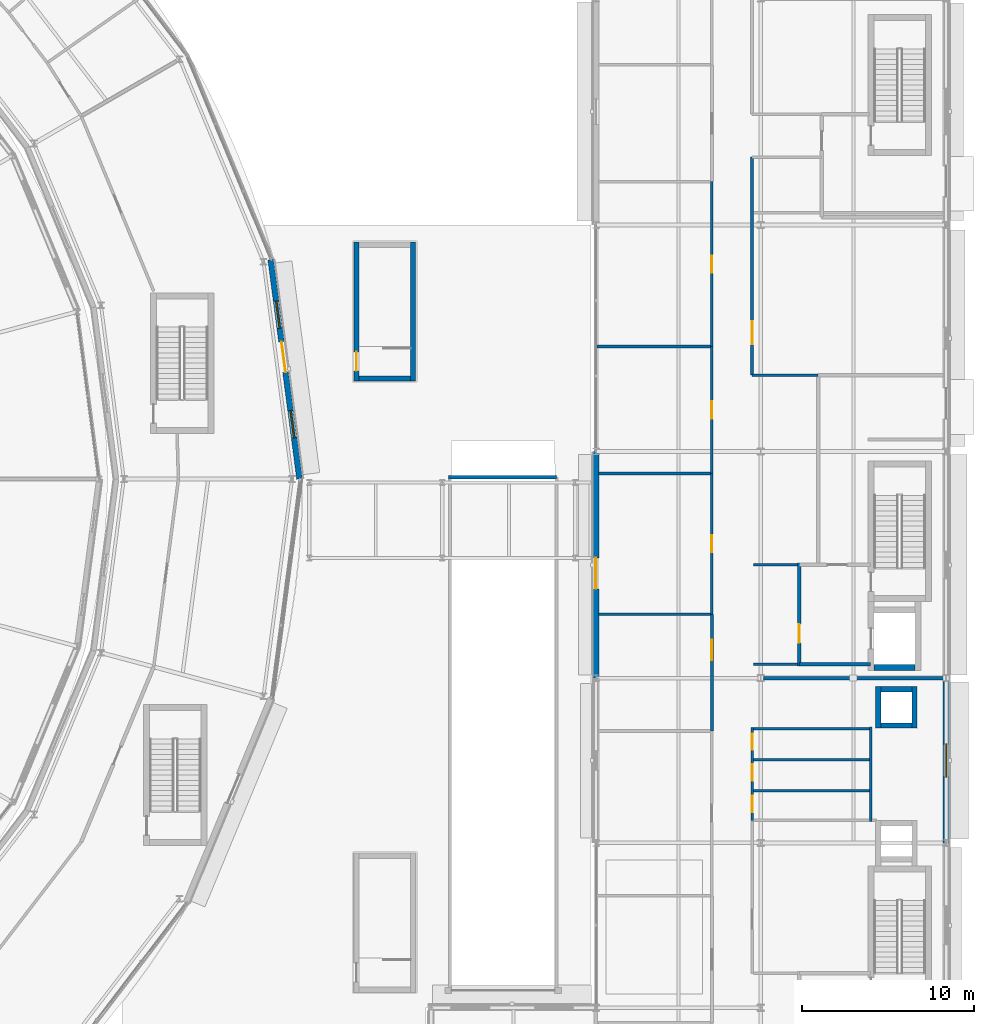
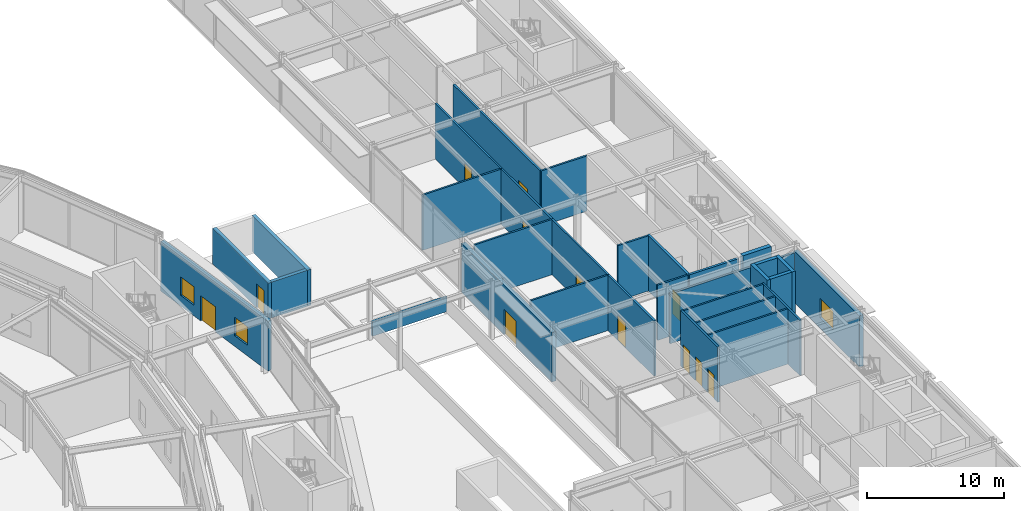
# One storey, part 129 of 168: 31 walls, 12 doors, 3 windows, 15 openings.
"""IFC4 building model written with IfcOpenShell, lengths in metres."""

from ifc_helpers import new_model, si_unit, direction, frame, frame_2d, origin, place, context, subcontext, project, spatial, rectangle, extrude, material, layer, layer_set, type_object, element, fill, save


model = new_model("IFC4")

# Units and contexts
model_context = context("Model", 3, precision=1e-05, world=origin(), true_north=direction((0.0, 1.0)))
body_context = subcontext(model_context, "Body", "Model", "MODEL_VIEW")
ifc_project = project(units=[si_unit("LENGTHUNIT", "METRE"), si_unit("AREAUNIT", "SQUARE_METRE"), si_unit("VOLUMEUNIT", "CUBIC_METRE"), si_unit("PLANEANGLEUNIT", "RADIAN"), si_unit("MASSUNIT", "GRAM", prefix="KILO")], contexts=[model_context])

# Site, building, storey
site_placement = place(None, origin())
site = spatial("IfcSite", under=ifc_project, at=site_placement, CompositionType="ELEMENT")
building_placement = place(site_placement, origin())
building = spatial("IfcBuilding", under=site, at=building_placement, Name="Almandine Court Research Institute", CompositionType="ELEMENT")
storey_placement = place(building_placement, origin())
storey = spatial("IfcBuildingStorey", under=building, at=storey_placement, Name="L00", CompositionType="ELEMENT", Elevation=0.0)

# Wall, opening, door
ifc_material_1 = material(Name="Andean Red-Buff Sandstone Plinth Wall", Category="masonry")
ifc_layer_1 = layer(ifc_material_1, 0.340087890625)
ifc_layer_set_1 = layer_set([ifc_layer_1], Name="Andean Red-Buff Sandstone Plinth Wall")
wall_type_1 = type_object("IfcWallType", Name="Wall-EXT-SAND-340", PredefinedType="SOLIDWALL", material=ifc_layer_set_1)
wall_1_placement = place(storey_placement, frame((153.60009765625, 44.404052734375, 0.0), z_axis=(0.0, 0.0, 1.0), x_axis=(0.0, 1.0, 0.0)))
wall_1 = element("IfcWall", 1, at=wall_1_placement, inside=storey, type_object=wall_type_1, Name="L00 Wet Lab West Facade Wall 3", PredefinedType="SOLIDWALL", context=body_context, shape_type="SweptSolid", body=[
    extrude(rectangle(XDim=13.19189453125, YDim=0.340087890625, at=frame_2d((6.595947265625, 0.0))), origin(), (0.0, 0.0, 1.0), 4.39501953125),
])
opening_1_placement = place(wall_1_placement, frame((5.199951171875, 0.0, 0.0)))
opening_1 = element("IfcOpeningElement", 2, at=opening_1_placement, cuts=wall_1, Name="Opening EX-02", PredefinedType="OPENING", context=body_context, shape_type="SweptSolid", body=[
    extrude(rectangle(XDim=1.800048828125, YDim=2.25, at=frame_2d((0.89990234375, 1.125))), frame((0.0, 0.179931640625, 0.0), z_axis=(0.0, -1.0, 0.0), x_axis=(1.0, 0.0, 0.0)), (0.0, 0.0, 1.0), 0.360107421875),
])
ifc_material_2 = material(Name="Anodised Aluminium Exit Discharge Door", Category="aluminium")
door_type_1 = type_object("IfcDoorType", Name="Door-EX-1800", OperationType="DOUBLE_DOOR_SINGLE_SWING", PredefinedType="DOOR", material=ifc_material_2)
door_1_placement = place(opening_1_placement, origin())
door_1 = element("IfcDoor", 3, at=door_1_placement, inside=storey, type_object=door_type_1, Name="L00 Wet Lab West Courtyard Exit Door", OperationType="DOUBLE_DOOR_SINGLE_SWING", OverallHeight=2.25, OverallWidth=1.800048828125, PredefinedType="DOOR", context=body_context, shape_type="SweptSolid", body=[
    extrude(rectangle(XDim=1.800048828125, YDim=2.25, at=frame_2d((0.89990234375, 1.125))), frame((0.0, 0.02490234375, 0.0), z_axis=(0.0, -1.0, 0.0), x_axis=(1.0, 0.0, 0.0)), (0.0, 0.0, 1.0), 0.050048828125),
])
fill(opening_1, door_1)

# Wall, opening, window
wall_2_placement = place(storey_placement, frame((174.0, 44.39599609375, 0.0), z_axis=(0.0, 0.0, 1.0), x_axis=(0.0, -1.0, 0.0)))
wall_2 = element("IfcWall", 4, at=wall_2_placement, inside=storey, type_object=wall_type_1, Name="L00 Wet Lab East Facade Wall 4", PredefinedType="SOLIDWALL", context=body_context, shape_type="SweptSolid", body=[
    extrude(rectangle(XDim=9.592041015625, YDim=0.340087890625, at=frame_2d((4.7958984375, 0.0))), origin(), (0.0, 0.0, 1.0), 4.583984375),
])
opening_2_placement = place(wall_2_placement, frame((3.8310546875, 0.0, 0.949951171875)))
opening_2 = element("IfcOpeningElement", 5, at=opening_2_placement, cuts=wall_2, Name="Opening WN-57", PredefinedType="OPENING", context=body_context, shape_type="SweptSolid", body=[
    extrude(rectangle(XDim=1.929931640625, YDim=1.72998046875, at=frame_2d((0.96484375, 0.864990234375))), frame((0.0, 0.179931640625, 0.0), z_axis=(0.0, -1.0, 0.0), x_axis=(1.0, 0.0, 0.0)), (0.0, 0.0, 1.0), 0.360107421875),
])
ifc_material_3 = material(Name="Thermally Broken Low-E Double-Glazed Window", Category="glass")
window_type_1 = type_object("IfcWindowType", Name="Win-WN-57-1930x1730", PartitioningType="SINGLE_PANEL", PredefinedType="WINDOW", material=ifc_material_3)
window_1_placement = place(opening_2_placement, origin())
window_1 = element("IfcWindow", 6, at=window_1_placement, inside=storey, type_object=window_type_1, Name="L00 Modular Recessed Low-E Window 82", OverallHeight=1.72998046875, OverallWidth=1.929931640625, PartitioningType="SINGLE_PANEL", PredefinedType="WINDOW", context=body_context, shape_type="SweptSolid", body=[
    extrude(rectangle(XDim=1.929931640625, YDim=1.72998046875, at=frame_2d((0.96484375, 0.864990234375))), frame((0.0, 0.030029296875, 0.0), z_axis=(0.0, -1.0, 0.0), x_axis=(1.0, 0.0, 0.0)), (0.0, 0.0, 1.0), 0.06005859375),
])
fill(opening_2, window_1)

# Wall, openings, door, windows
wall_3_placement = place(storey_placement, frame((134.659912109375, 68.763916015625, 0.0), z_axis=(0.0, 0.0, 1.0), x_axis=(0.130495738843, -0.991448870161, 0.0)))
wall_3 = element("IfcWall", 7, at=wall_3_placement, inside=storey, type_object=wall_type_1, Name="L00 Drum Outer Facade Wall 00", PredefinedType="SOLIDWALL", context=body_context, shape_type="SweptSolid", body=[
    extrude(rectangle(XDim=12.867919921875, YDim=0.340087890625, at=frame_2d((6.43408203125, 0.0))), origin(), (0.0, 0.0, 1.0), 4.43310546875),
])
opening_3_placement = place(wall_3_placement, frame((4.800048828125, 0.0, 0.0)))
opening_3 = element("IfcOpeningElement", 8, at=opening_3_placement, cuts=wall_3, Name="Opening EX-02", PredefinedType="OPENING", context=body_context, shape_type="SweptSolid", body=[
    extrude(rectangle(XDim=1.800048828125, YDim=2.25, at=frame_2d((0.89990234375, 1.125))), frame((0.0, 0.179931640625, 0.0), z_axis=(0.0, -1.0, 0.0), x_axis=(1.0, 0.0, 0.0)), (0.0, 0.0, 1.0), 0.360107421875),
])
opening_4_placement = place(wall_3_placement, frame((2.4169921875, 0.0, 0.949951171875)))
opening_4 = element("IfcOpeningElement", 9, at=opening_4_placement, cuts=wall_3, Name="Opening WN-97", PredefinedType="OPENING", context=body_context, shape_type="SweptSolid", body=[
    extrude(rectangle(XDim=1.60009765625, YDim=1.64990234375, at=frame_2d((0.800048828125, 0.824951171875))), frame((0.0, 0.179931640625, 0.0), z_axis=(0.0, -1.0, 0.0), x_axis=(1.0, 0.0, 0.0)), (0.0, 0.0, 1.0), 0.360107421875),
])
opening_5_placement = place(wall_3_placement, frame((8.85107421875, 0.0, 0.949951171875)))
opening_5 = element("IfcOpeningElement", 10, at=opening_5_placement, cuts=wall_3, Name="Opening WN-97", PredefinedType="OPENING", context=body_context, shape_type="SweptSolid", body=[
    extrude(rectangle(XDim=1.60009765625, YDim=1.64990234375, at=frame_2d((0.800048828125, 0.824951171875))), frame((0.0, 0.179931640625, 0.0), z_axis=(0.0, -1.0, 0.0), x_axis=(1.0, 0.0, 0.0)), (0.0, 0.0, 1.0), 0.360107421875),
])
door_2_placement = place(opening_3_placement, origin())
door_2 = element("IfcDoor", 11, at=door_2_placement, inside=storey, type_object=door_type_1, Name="L00 Drum Courtyard Exit Door 00", OperationType="DOUBLE_DOOR_SINGLE_SWING", OverallHeight=2.25, OverallWidth=1.800048828125, PredefinedType="DOOR", context=body_context, shape_type="SweptSolid", body=[
    extrude(rectangle(XDim=1.800048828125, YDim=2.25, at=frame_2d((0.89990234375, 1.125))), frame((0.0, 0.02490234375, 0.0), z_axis=(0.0, -1.0, 0.0), x_axis=(1.0, 0.0, 0.0)), (0.0, 0.0, 1.0), 0.050048828125),
])
fill(opening_3, door_2)
window_type_2 = type_object("IfcWindowType", Name="Win-WN-97-1600x1650", PartitioningType="SINGLE_PANEL", PredefinedType="WINDOW", material=ifc_material_3)
window_2_placement = place(opening_4_placement, origin())
window_2 = element("IfcWindow", 12, at=window_2_placement, inside=storey, type_object=window_type_2, Name="L00 Modular Recessed Low-E Window 209", OverallHeight=1.64990234375, OverallWidth=1.60009765625, PartitioningType="SINGLE_PANEL", PredefinedType="WINDOW", context=body_context, shape_type="SweptSolid", body=[
    extrude(rectangle(XDim=1.60009765625, YDim=1.64990234375, at=frame_2d((0.800048828125, 0.824951171875))), frame((0.0, 0.030029296875, 0.0), z_axis=(0.0, -1.0, 0.0), x_axis=(1.0, 0.0, 0.0)), (0.0, 0.0, 1.0), 0.06005859375),
])
fill(opening_4, window_2)
window_3_placement = place(opening_5_placement, origin())
window_3 = element("IfcWindow", 13, at=window_3_placement, inside=storey, type_object=window_type_2, Name="L00 Modular Recessed Low-E Window 210", OverallHeight=1.64990234375, OverallWidth=1.60009765625, PartitioningType="SINGLE_PANEL", PredefinedType="WINDOW", context=body_context, shape_type="SweptSolid", body=[
    extrude(rectangle(XDim=1.60009765625, YDim=1.64990234375, at=frame_2d((0.800048828125, 0.824951171875))), frame((0.0, 0.030029296875, 0.0), z_axis=(0.0, -1.0, 0.0), x_axis=(1.0, 0.0, 0.0)), (0.0, 0.0, 1.0), 0.06005859375),
])
fill(opening_5, window_3)

# Wall, opening, door
ifc_material_4 = material(Name="One-Hour Fire-Rated Laboratory Partition")
ifc_layer_2 = layer(ifc_material_4, 0.175048828125)
ifc_layer_set_2 = layer_set([ifc_layer_2], Name="One-Hour Fire-Rated Laboratory Partition")
wall_type_2 = type_object("IfcWallType", Name="Wall-FIRE-175", PredefinedType="PARTITIONING", material=ifc_layer_set_2)
wall_4_placement = place(storey_placement, frame((160.35009765625, 41.320068359375, 0.0), z_axis=(0.0, 0.0, 1.0), x_axis=(0.0, 1.0, 0.0)))
wall_4 = element("IfcWall", 14, at=wall_4_placement, inside=storey, type_object=wall_type_2, Name="L00 Interior Partition W-V4-L00-WW-3", PredefinedType="PARTITIONING", context=body_context, shape_type="SweptSolid", body=[
    extrude(rectangle(XDim=6.800048828125, YDim=0.175048828125, at=frame_2d((3.39990234375, 0.0))), origin(), (0.0, 0.0, 1.0), 4.929931640625),
])
opening_6_placement = place(wall_4_placement, frame((4.1298828125, 0.0, 0.0)))
opening_6 = element("IfcOpeningElement", 15, at=opening_6_placement, cuts=wall_4, Name="Opening FD-LAB", PredefinedType="OPENING", context=body_context, shape_type="SweptSolid", body=[
    extrude(rectangle(XDim=1.199951171875, YDim=2.199951171875, at=frame_2d((0.60009765625, 1.10009765625))), frame((0.0, 0.097412109375, 0.0), z_axis=(0.0, -1.0, 0.0), x_axis=(1.0, 0.0, 0.0)), (0.0, 0.0, 1.0), 0.195068359375),
])
ifc_material_5 = material(Name="Fire-Rated Laboratory Containment Door")
door_type_2 = type_object("IfcDoorType", Name="Door-FD-LAB-1200", OperationType="NOTDEFINED", PredefinedType="DOOR", material=ifc_material_5)
door_3_placement = place(opening_6_placement, origin())
door_3 = element("IfcDoor", 16, at=door_3_placement, inside=storey, type_object=door_type_2, Name="L00 Biosciences BSL-2 Laboratory Door", OperationType="SINGLE_SWING_LEFT", OverallHeight=2.199951171875, OverallWidth=1.199951171875, PredefinedType="DOOR", context=body_context, shape_type="SweptSolid", body=[
    extrude(rectangle(XDim=1.199951171875, YDim=2.199951171875, at=frame_2d((0.60009765625, 1.10009765625))), frame((0.0, 0.02490234375, 0.0), z_axis=(0.0, -1.0, 0.0), x_axis=(1.0, 0.0, 0.0)), (0.0, 0.0, 1.0), 0.050048828125),
])
fill(opening_6, door_3)

wall_5_placement = place(storey_placement, frame((162.699951171875, 62.050048828125, 0.0), z_axis=(0.0, 0.0, 1.0), x_axis=(0.0, 1.0, 0.0)))
wall_5 = element("IfcWall", 17, at=wall_5_placement, inside=storey, type_object=wall_type_2, Name="L00 Interior Partition W-V4-L00-EW-N1", PredefinedType="PARTITIONING", context=body_context, shape_type="SweptSolid", body=[
    extrude(rectangle(XDim=12.699951171875, YDim=0.175048828125, at=frame_2d((6.35009765625, 0.0))), origin(), (0.0, 0.0, 1.0), 4.929931640625),
])
opening_7_placement = place(wall_5_placement, frame((1.800048828125, 0.0, 0.0)))
opening_7 = element("IfcOpeningElement", 18, at=opening_7_placement, cuts=wall_5, Name="Opening FD-LB2", PredefinedType="OPENING", context=body_context, shape_type="SweptSolid", body=[
    extrude(rectangle(XDim=1.35009765625, YDim=2.199951171875, at=frame_2d((0.675048828125, 1.10009765625))), frame((0.0, 0.097412109375, 0.0), z_axis=(0.0, -1.0, 0.0), x_axis=(1.0, 0.0, 0.0)), (0.0, 0.0, 1.0), 0.195068359375),
])
ifc_material_6 = material(Name="Wide Fire-Rated Cleanroom and Lab Door")
door_type_3 = type_object("IfcDoorType", Name="Door-FD-LAB-1350", OperationType="NOTDEFINED", PredefinedType="DOOR", material=ifc_material_6)
door_4_placement = place(opening_7_placement, origin())
door_4 = element("IfcDoor", 19, at=door_4_placement, inside=storey, type_object=door_type_3, Name="L00 East Wet Chemistry Lab Door", OperationType="SINGLE_SWING_LEFT", OverallHeight=2.199951171875, OverallWidth=1.35009765625, PredefinedType="DOOR", context=body_context, shape_type="SweptSolid", body=[
    extrude(rectangle(XDim=1.35009765625, YDim=2.199951171875, at=frame_2d((0.675048828125, 1.10009765625))), frame((0.0, 0.02490234375, 0.0), z_axis=(0.0, -1.0, 0.0), x_axis=(1.0, 0.0, 0.0)), (0.0, 0.0, 1.0), 0.050048828125),
])
fill(opening_7, door_4)

# Wall
ifc_material_7 = material(Name="Two-Hour Fire-Barrier Enclosure Wall")
ifc_layer_3 = layer(ifc_material_7, 0.199951171875)
ifc_layer_set_3 = layer_set([ifc_layer_3], Name="Two-Hour Fire-Barrier Enclosure Wall")
wall_type_3 = type_object("IfcWallType", Name="Wall-FIRE-200", PredefinedType="SOLIDWALL", material=ifc_layer_set_3)
wall_6_placement = place(storey_placement, frame((163.360107421875, 44.39990234375, 0.0), z_axis=(0.0, 0.0, 1.0), x_axis=(1.0, 0.0, 0.0)))
element("IfcWall", 20, at=wall_6_placement, inside=storey, type_object=wall_type_3, Name="L00 Interior Partition W-BF-V4-BF2-L00", PredefinedType="SOLIDWALL", context=body_context, shape_type="SweptSolid", body=[
    extrude(rectangle(XDim=10.47998046875, YDim=0.199951171875, at=frame_2d((5.239990234375, 0.0))), origin(), (0.0, 0.0, 1.0), 4.43798828125),
])

# Wall, opening, door
wall_7_placement = place(storey_placement, frame((165.449951171875, 45.10009765625, 0.0), z_axis=(0.0, 0.0, 1.0), x_axis=(0.0, 1.0, 0.0)))
wall_7 = element("IfcWall", 21, at=wall_7_placement, inside=storey, type_object=wall_type_3, Name="L00 Interior Partition W-FFL2-L00-W", PredefinedType="SOLIDWALL", context=body_context, shape_type="SweptSolid", body=[
    extrude(rectangle(XDim=6.0, YDim=0.199951171875, at=frame_2d((3.0, 0.0))), origin(), (0.0, 0.0, 1.0), 4.929931640625),
])
opening_8_placement = place(wall_7_placement, frame((1.35009765625, 0.0, 0.0)))
opening_8 = element("IfcOpeningElement", 22, at=opening_8_placement, cuts=wall_7, Name="Opening FD-FFL", PredefinedType="OPENING", context=body_context, shape_type="SweptSolid", body=[
    extrude(rectangle(XDim=1.10009765625, YDim=2.14990234375, at=frame_2d((0.550048828125, 1.074951171875))), frame((0.0, 0.10986328125, 0.0), z_axis=(0.0, -1.0, 0.0), x_axis=(1.0, 0.0, 0.0)), (0.0, 0.0, 1.0), 0.219970703125),
])
ifc_material_8 = material(Name="Smoke-Tight Firefighting Lobby Fire Door")
door_type_4 = type_object("IfcDoorType", Name="Door-FD-FFL-1100", OperationType="NOTDEFINED", PredefinedType="DOOR", material=ifc_material_8)
door_5_placement = place(opening_8_placement, origin())
door_5 = element("IfcDoor", 23, at=door_5_placement, inside=storey, type_object=door_type_4, Name="L00 Firefighting Lobby Fire Door 2", OperationType="SINGLE_SWING_LEFT", OverallHeight=2.14990234375, OverallWidth=1.10009765625, PredefinedType="DOOR", context=body_context, shape_type="SweptSolid", body=[
    extrude(rectangle(XDim=1.10009765625, YDim=2.14990234375, at=frame_2d((0.550048828125, 1.074951171875))), frame((0.0, 0.02490234375, 0.0), z_axis=(0.0, -1.0, 0.0), x_axis=(1.0, 0.0, 0.0)), (0.0, 0.0, 1.0), 0.050048828125),
])
fill(opening_8, door_5)

# Walls
wall_8_placement = place(storey_placement, frame((165.449951171875, 45.199951171875, 0.0), z_axis=(0.0, 0.0, 1.0), x_axis=(1.0, 0.0, 0.0)))
element("IfcWall", 24, at=wall_8_placement, inside=storey, type_object=wall_type_3, Name="L00 Interior Partition W-FFL2-L00-S", PredefinedType="SOLIDWALL", context=body_context, shape_type="SweptSolid", body=[
    extrude(rectangle(XDim=4.150146484375, YDim=0.199951171875, at=frame_2d((2.0751953125, 0.0))), origin(), (0.0, 0.0, 1.0), 4.929931640625),
])
ifc_material_9 = material(Name="Terracotta-Coping Ramp and Terrace Parapet", Category="masonry")
ifc_layer_4 = layer(ifc_material_9, 0.18994140625)
ifc_layer_set_4 = layer_set([ifc_layer_4], Name="Terracotta-Coping Ramp and Terrace Parapet")
wall_type_4 = type_object("IfcWallType", Name="Wall-PAR-190", PredefinedType="PARAPET", material=ifc_layer_set_4)
wall_9_placement = place(storey_placement, frame((145.0, 56.10009765625, 0.0), z_axis=(0.0, 0.0, 1.0), x_axis=(1.0, 0.0, 0.0)))
element("IfcWall", 25, at=wall_9_placement, inside=storey, type_object=wall_type_4, Name="L00 Ramp Well North Parapet", PredefinedType="PARAPET", context=body_context, shape_type="SweptSolid", body=[
    extrude(rectangle(XDim=6.300048828125, YDim=0.18994140625, at=frame_2d((3.14990234375, 0.0))), origin(), (0.0, 0.0, 1.0), 1.300048828125),
])
ifc_material_10 = material(Name="Acoustic Steel-Stud Gypsum Partition Wall", Category="steel")
ifc_layer_5 = layer(ifc_material_10, 0.14990234375)
ifc_layer_set_5 = layer_set([ifc_layer_5], Name="Acoustic Steel-Stud Gypsum Partition Wall")
wall_type_5 = type_object("IfcWallType", Name="Wall-PART-150", PredefinedType="PARTITIONING", material=ifc_layer_set_5)
for number, where, z_axis, x_axis, name in (
    (26, (162.699951171875, 37.85009765625, 0.0), (0.0, 0.0, 1.0), (1.0, 0.0, 0.0), "L00 Interior Partition W-V4-L00-WCH-1"),
    (27, (162.699951171875, 39.64990234375, 0.0), (0.0, 0.0, 1.0), (1.0, 0.0, 0.0), "L00 Interior Partition W-V4-L00-WCH-2"),
    (28, (162.699951171875, 41.449951171875, 0.0), (0.0, 0.0, 1.0), (1.0, 0.0, 0.0), "L00 Interior Partition W-V4-L00-WCH-3"),
):
    element("IfcWall", number, at=place(storey_placement, frame(where, z_axis=z_axis, x_axis=x_axis)), inside=storey, type_object=wall_type_5, Name=name, PredefinedType="PARTITIONING", context=body_context, shape_type="SweptSolid", body=[
        extrude(rectangle(XDim=6.900146484375, YDim=0.14990234375, at=frame_2d((3.4501953125, 0.0))), origin(), (0.0, 0.0, 1.0), 4.929931640625),
    ])
wall_10_placement = place(storey_placement, frame((169.60009765625, 36.050048828125, 0.0), z_axis=(0.0, 0.0, 1.0), x_axis=(0.0, 1.0, 0.0)))
element("IfcWall", 29, at=wall_10_placement, inside=storey, type_object=wall_type_5, Name="L00 Interior Partition W-V4-L00-WCEAST", PredefinedType="PARTITIONING", context=body_context, shape_type="SweptSolid", body=[
    extrude(rectangle(XDim=5.5, YDim=0.14990234375, at=frame_2d((2.75, 0.0))), origin(), (0.0, 0.0, 1.0), 4.929931640625),
])

# Wall, openings, doors
wall_11_placement = place(storey_placement, frame((162.699951171875, 36.1201171875, 0.0), z_axis=(0.0, 0.0, 1.0), x_axis=(0.0, 1.0, 0.0)))
wall_11 = element("IfcWall", 30, at=wall_11_placement, inside=storey, type_object=wall_type_5, Name="L00 Interior Partition W-V4-L00-WC-ALL", PredefinedType="PARTITIONING", context=body_context, shape_type="SweptSolid", body=[
    extrude(rectangle(XDim=5.39990234375, YDim=0.14990234375, at=frame_2d((2.699951171875, 0.0))), origin(), (0.0, 0.0, 1.0), 4.929931640625),
])
opening_9_placement = place(wall_11_placement, frame((0.47998046875, 0.0, 0.0)))
opening_9 = element("IfcOpeningElement", 31, at=opening_9_placement, cuts=wall_11, Name="Opening D-01", PredefinedType="OPENING", context=body_context, shape_type="SweptSolid", body=[
    extrude(rectangle(XDim=0.949951171875, YDim=2.10009765625, at=frame_2d((0.47509765625, 1.050048828125))), frame((0.0, 0.0849609375, 0.0), z_axis=(0.0, -1.0, 0.0), x_axis=(1.0, 0.0, 0.0)), (0.0, 0.0, 1.0), 0.169921875),
])
opening_10_placement = place(wall_11_placement, frame((2.300048828125, 0.0, 0.0)))
opening_10 = element("IfcOpeningElement", 32, at=opening_10_placement, cuts=wall_11, Name="Opening D-01", PredefinedType="OPENING", context=body_context, shape_type="SweptSolid", body=[
    extrude(rectangle(XDim=0.949951171875, YDim=2.10009765625, at=frame_2d((0.47509765625, 1.050048828125))), frame((0.0, 0.0849609375, 0.0), z_axis=(0.0, -1.0, 0.0), x_axis=(1.0, 0.0, 0.0)), (0.0, 0.0, 1.0), 0.169921875),
])
opening_11_placement = place(wall_11_placement, frame((4.10009765625, 0.0, 0.0)))
opening_11 = element("IfcOpeningElement", 33, at=opening_11_placement, cuts=wall_11, Name="Opening D-01", PredefinedType="OPENING", context=body_context, shape_type="SweptSolid", body=[
    extrude(rectangle(XDim=0.949951171875, YDim=2.10009765625, at=frame_2d((0.47509765625, 1.050048828125))), frame((0.0, 0.0849609375, 0.0), z_axis=(0.0, -1.0, 0.0), x_axis=(1.0, 0.0, 0.0)), (0.0, 0.0, 1.0), 0.169921875),
])
ifc_material_11 = material(Name="Solid-Core Timber Acoustic Room Door", Category="wood")
door_type_5 = type_object("IfcDoorType", Name="Door-INT-950", OperationType="NOTDEFINED", PredefinedType="DOOR", material=ifc_material_11)
door_6_placement = place(opening_9_placement, origin())
door_6 = element("IfcDoor", 34, at=door_6_placement, inside=storey, type_object=door_type_5, Name="L00 V4 Male Toilet Door", OperationType="SINGLE_SWING_RIGHT", OverallHeight=2.10009765625, OverallWidth=0.949951171875, PredefinedType="DOOR", context=body_context, shape_type="SweptSolid", body=[
    extrude(rectangle(XDim=0.949951171875, YDim=2.10009765625, at=frame_2d((0.47509765625, 1.050048828125))), frame((0.0, 0.02490234375, 0.0), z_axis=(0.0, -1.0, 0.0), x_axis=(1.0, 0.0, 0.0)), (0.0, 0.0, 1.0), 0.050048828125),
])
fill(opening_9, door_6)
door_7_placement = place(opening_10_placement, origin())
door_7 = element("IfcDoor", 35, at=door_7_placement, inside=storey, type_object=door_type_5, Name="L00 V4 Female Toilet Door", OperationType="SINGLE_SWING_LEFT", OverallHeight=2.10009765625, OverallWidth=0.949951171875, PredefinedType="DOOR", context=body_context, shape_type="SweptSolid", body=[
    extrude(rectangle(XDim=0.949951171875, YDim=2.10009765625, at=frame_2d((0.47509765625, 1.050048828125))), frame((0.0, 0.02490234375, 0.0), z_axis=(0.0, -1.0, 0.0), x_axis=(1.0, 0.0, 0.0)), (0.0, 0.0, 1.0), 0.050048828125),
])
fill(opening_10, door_7)
door_8_placement = place(opening_11_placement, origin())
door_8 = element("IfcDoor", 36, at=door_8_placement, inside=storey, type_object=door_type_5, Name="L00 V4 Accessible WC Door", OperationType="SINGLE_SWING_RIGHT", OverallHeight=2.10009765625, OverallWidth=0.949951171875, PredefinedType="DOOR", context=body_context, shape_type="SweptSolid", body=[
    extrude(rectangle(XDim=0.949951171875, YDim=2.10009765625, at=frame_2d((0.47509765625, 1.050048828125))), frame((0.0, 0.02490234375, 0.0), z_axis=(0.0, -1.0, 0.0), x_axis=(1.0, 0.0, 0.0)), (0.0, 0.0, 1.0), 0.050048828125),
])
fill(opening_11, door_8)

# Wall
wall_12_placement = place(storey_placement, frame((153.760009765625, 48.1201171875, 0.0), z_axis=(0.0, 0.0, 1.0), x_axis=(1.0, 0.0, 0.0)))
element("IfcWall", 37, at=wall_12_placement, inside=storey, type_object=wall_type_5, Name="L00 Interior Partition W-V4-L00-WDIV-3", PredefinedType="PARTITIONING", context=body_context, shape_type="SweptSolid", body=[
    extrude(rectangle(XDim=6.510009765625, YDim=0.14990234375, at=frame_2d((3.2548828125, 0.0))), origin(), (0.0, 0.0, 1.0), 4.929931640625),
])

# Wall, opening, door
wall_13_placement = place(storey_placement, frame((160.35009765625, 48.1201171875, 0.0), z_axis=(0.0, 0.0, 1.0), x_axis=(0.0, 1.0, 0.0)))
wall_13 = element("IfcWall", 38, at=wall_13_placement, inside=storey, type_object=wall_type_5, Name="L00 Interior Partition W-V4-L00-WW-4", PredefinedType="PARTITIONING", context=body_context, shape_type="SweptSolid", body=[
    extrude(rectangle(XDim=8.199951171875, YDim=0.14990234375, at=frame_2d((4.10009765625, 0.0))), origin(), (0.0, 0.0, 1.0), 4.929931640625),
])
opening_12_placement = place(wall_13_placement, frame((3.60009765625, 0.0, 0.0)))
opening_12 = element("IfcOpeningElement", 39, at=opening_12_placement, cuts=wall_13, Name="Opening D-02", PredefinedType="OPENING", context=body_context, shape_type="SweptSolid", body=[
    extrude(rectangle(XDim=1.0, YDim=2.199951171875, at=frame_2d((0.5, 1.10009765625))), frame((0.0, 0.0849609375, 0.0), z_axis=(0.0, -1.0, 0.0), x_axis=(1.0, 0.0, 0.0)), (0.0, 0.0, 1.0), 0.169921875),
])
ifc_material_12 = material(Name="Solid-Core Timber Researcher Office Door", Category="wood")
door_type_6 = type_object("IfcDoorType", Name="Door-INT-1000", OperationType="NOTDEFINED", PredefinedType="DOOR", material=ifc_material_12)
door_9_placement = place(opening_12_placement, origin())
door_9 = element("IfcDoor", 40, at=door_9_placement, inside=storey, type_object=door_type_6, Name="L00 Seminar Room Door", OperationType="SINGLE_SWING_RIGHT", OverallHeight=2.199951171875, OverallWidth=1.0, PredefinedType="DOOR", context=body_context, shape_type="SweptSolid", body=[
    extrude(rectangle(XDim=1.0, YDim=2.199951171875, at=frame_2d((0.5, 1.10009765625))), frame((0.0, 0.02490234375, 0.0), z_axis=(0.0, -1.0, 0.0), x_axis=(1.0, 0.0, 0.0)), (0.0, 0.0, 1.0), 0.050048828125),
])
fill(opening_12, door_9)

# Wall
wall_14_placement = place(storey_placement, frame((153.760009765625, 56.320068359375, 0.0), z_axis=(0.0, 0.0, 1.0), x_axis=(1.0, 0.0, 0.0)))
element("IfcWall", 41, at=wall_14_placement, inside=storey, type_object=wall_type_5, Name="L00 Interior Partition W-V4-L00-WDIV-4", PredefinedType="PARTITIONING", context=body_context, shape_type="SweptSolid", body=[
    extrude(rectangle(XDim=6.510009765625, YDim=0.14990234375, at=frame_2d((3.2548828125, 0.0))), origin(), (0.0, 0.0, 1.0), 4.929931640625),
])

# Wall, opening, door
wall_15_placement = place(storey_placement, frame((160.35009765625, 56.320068359375, 0.0), z_axis=(0.0, 0.0, 1.0), x_axis=(0.0, 1.0, 0.0)))
wall_15 = element("IfcWall", 42, at=wall_15_placement, inside=storey, type_object=wall_type_5, Name="L00 Interior Partition W-V4-L00-WW-5", PredefinedType="PARTITIONING", context=body_context, shape_type="SweptSolid", body=[
    extrude(rectangle(XDim=7.39990234375, YDim=0.14990234375, at=frame_2d((3.699951171875, 0.0))), origin(), (0.0, 0.0, 1.0), 4.929931640625),
])
opening_13_placement = place(wall_15_placement, frame((3.199951171875, 0.0, 0.0)))
opening_13 = element("IfcOpeningElement", 43, at=opening_13_placement, cuts=wall_15, Name="Opening D-02", PredefinedType="OPENING", context=body_context, shape_type="SweptSolid", body=[
    extrude(rectangle(XDim=1.0, YDim=2.199951171875, at=frame_2d((0.5, 1.10009765625))), frame((0.0, 0.0849609375, 0.0), z_axis=(0.0, -1.0, 0.0), x_axis=(1.0, 0.0, 0.0)), (0.0, 0.0, 1.0), 0.169921875),
])
door_10_placement = place(opening_13_placement, origin())
door_10 = element("IfcDoor", 44, at=door_10_placement, inside=storey, type_object=door_type_6, Name="L00 Instrument Room Door", OperationType="SINGLE_SWING_LEFT", OverallHeight=2.199951171875, OverallWidth=1.0, PredefinedType="DOOR", context=body_context, shape_type="SweptSolid", body=[
    extrude(rectangle(XDim=1.0, YDim=2.199951171875, at=frame_2d((0.5, 1.10009765625))), frame((0.0, 0.02490234375, 0.0), z_axis=(0.0, -1.0, 0.0), x_axis=(1.0, 0.0, 0.0)), (0.0, 0.0, 1.0), 0.050048828125),
])
fill(opening_13, door_10)

# Wall
wall_16_placement = place(storey_placement, frame((153.659912109375, 63.719970703125, 0.0), z_axis=(0.0, 0.0, 1.0), x_axis=(1.0, 0.0, 0.0)))
element("IfcWall", 45, at=wall_16_placement, inside=storey, type_object=wall_type_5, Name="L00 Interior Partition W-V4-L00-WDIV-5", PredefinedType="PARTITIONING", context=body_context, shape_type="SweptSolid", body=[
    extrude(rectangle(XDim=6.610107421875, YDim=0.14990234375, at=frame_2d((3.30517578125, 0.0))), origin(), (0.0, 0.0, 1.0), 4.929931640625),
])

# Wall, opening, door
wall_17_placement = place(storey_placement, frame((160.35009765625, 63.719970703125, 0.0), z_axis=(0.0, 0.0, 1.0), x_axis=(0.0, 1.0, 0.0)))
wall_17 = element("IfcWall", 46, at=wall_17_placement, inside=storey, type_object=wall_type_5, Name="L00 Interior Partition W-V4-L00-WW-6", PredefinedType="PARTITIONING", context=body_context, shape_type="SweptSolid", body=[
    extrude(rectangle(XDim=9.60009765625, YDim=0.14990234375, at=frame_2d((4.800048828125, 0.0))), origin(), (0.0, 0.0, 1.0), 4.929931640625),
])
opening_14_placement = place(wall_17_placement, frame((4.300048828125, 0.0, 0.0)))
opening_14 = element("IfcOpeningElement", 47, at=opening_14_placement, cuts=wall_17, Name="Opening D-02", PredefinedType="OPENING", context=body_context, shape_type="SweptSolid", body=[
    extrude(rectangle(XDim=1.0, YDim=2.199951171875, at=frame_2d((0.5, 1.10009765625))), frame((0.0, 0.0849609375, 0.0), z_axis=(0.0, -1.0, 0.0), x_axis=(1.0, 0.0, 0.0)), (0.0, 0.0, 1.0), 0.169921875),
])
door_11_placement = place(opening_14_placement, origin())
door_11 = element("IfcDoor", 48, at=door_11_placement, inside=storey, type_object=door_type_6, Name="L00 Write-up Office Door", OperationType="SINGLE_SWING_RIGHT", OverallHeight=2.199951171875, OverallWidth=1.0, PredefinedType="DOOR", context=body_context, shape_type="SweptSolid", body=[
    extrude(rectangle(XDim=1.0, YDim=2.199951171875, at=frame_2d((0.5, 1.10009765625))), frame((0.0, 0.02490234375, 0.0), z_axis=(0.0, -1.0, 0.0), x_axis=(1.0, 0.0, 0.0)), (0.0, 0.0, 1.0), 0.050048828125),
])
fill(opening_14, door_11)

# Walls
wall_18_placement = place(storey_placement, frame((162.699951171875, 62.050048828125, 0.0), z_axis=(0.0, 0.0, 1.0), x_axis=(1.0, 0.0, 0.0)))
element("IfcWall", 49, at=wall_18_placement, inside=storey, type_object=wall_type_5, Name="L00 Interior Partition W-V4-L00-ES-N1", PredefinedType="PARTITIONING", context=body_context, shape_type="SweptSolid", body=[
    extrude(rectangle(XDim=3.85009765625, YDim=0.14990234375, at=frame_2d((1.925048828125, 0.0))), origin(), (0.0, 0.0, 1.0), 4.929931640625),
])
for number, where, z_axis, x_axis, name in (
    (50, (162.780029296875, 45.199951171875, 0.0), (0.0, 0.0, 1.0), (1.0, 0.0, 0.0), "L00 Interior Partition W-V4-L00-FFL2-CS"),
    (51, (162.780029296875, 51.0, 0.0), (0.0, 0.0, 1.0), (1.0, 0.0, 0.0), "L00 Interior Partition W-V4-L00-FFL2-CN"),
):
    element("IfcWall", number, at=place(storey_placement, frame(where, z_axis=z_axis, x_axis=x_axis)), inside=storey, type_object=wall_type_5, Name=name, PredefinedType="PARTITIONING", context=body_context, shape_type="SweptSolid", body=[
        extrude(rectangle(XDim=2.570068359375, YDim=0.14990234375, at=frame_2d((1.28515625, 0.0))), origin(), (0.0, 0.0, 1.0), 4.929931640625),
    ])
ifc_material_13 = material(Name="Concrete C40/50", Category="concrete")
ifc_layer_6 = layer(ifc_material_13, 0.300048828125)
ifc_layer_set_6 = layer_set([ifc_layer_6], Name="Concrete C40/50")
wall_type_6 = type_object("IfcWallType", Name="Wall-SW-CORE-300", PredefinedType="SHEAR", material=ifc_layer_set_6)
wall_19_placement = place(storey_placement, frame((170.050048828125, 41.5, 0.0), z_axis=(0.0, 0.0, 1.0), x_axis=(0.0, 1.0, 0.0)))
element("IfcWall", 52, at=wall_19_placement, inside=storey, type_object=wall_type_6, Name="L00 MEP Riser RS-V4B W Shear Wall", PredefinedType="SHEAR", context=body_context, shape_type="SweptSolid", body=[
    extrude(rectangle(XDim=2.39990234375, YDim=0.300048828125, at=frame_2d((1.199951171875, 0.0))), origin(), (0.0, 0.0, 1.0), 5.070068359375),
])
wall_20_placement = place(storey_placement, frame((170.199951171875, 43.75, 0.0), z_axis=(0.0, 0.0, 1.0), x_axis=(1.0, 0.0, 0.0)))
element("IfcWall", 53, at=wall_20_placement, inside=storey, type_object=wall_type_6, Name="L00 MEP Riser RS-V4B N Shear Wall", PredefinedType="SHEAR", context=body_context, shape_type="SweptSolid", body=[
    extrude(rectangle(XDim=1.800048828125, YDim=0.300048828125, at=frame_2d((0.89990234375, 0.0))), origin(), (0.0, 0.0, 1.0), 5.070068359375),
])
wall_21_placement = place(storey_placement, frame((172.14990234375, 43.89990234375, 0.0), z_axis=(0.0, 0.0, 1.0), x_axis=(0.0, -1.0, 0.0)))
element("IfcWall", 54, at=wall_21_placement, inside=storey, type_object=wall_type_6, Name="L00 MEP Riser RS-V4B E Shear Wall", PredefinedType="SHEAR", context=body_context, shape_type="SweptSolid", body=[
    extrude(rectangle(XDim=2.39990234375, YDim=0.300048828125, at=frame_2d((1.199951171875, 0.0))), origin(), (0.0, 0.0, 1.0), 5.070068359375),
])
wall_22_placement = place(storey_placement, frame((172.0, 41.64990234375, 0.0), z_axis=(0.0, 0.0, 1.0), x_axis=(-1.0, 0.0, 0.0)))
element("IfcWall", 55, at=wall_22_placement, inside=storey, type_object=wall_type_6, Name="L00 MEP Riser RS-V4B S Shear Wall", PredefinedType="SHEAR", context=body_context, shape_type="SweptSolid", body=[
    extrude(rectangle(XDim=1.800048828125, YDim=0.300048828125, at=frame_2d((0.89990234375, 0.0))), origin(), (0.0, 0.0, 1.0), 5.070068359375),
])

# Wall, opening, door
ifc_layer_7 = layer(ifc_material_13, 0.300048828125)
ifc_layer_set_7 = layer_set([ifc_layer_7], Name="Concrete C40/50")
wall_type_7 = type_object("IfcWallType", Name="Wall-SW-CORE-300-E", PredefinedType="SHEAR", material=ifc_layer_set_7)
wall_23_placement = place(storey_placement, frame((139.64990234375, 61.699951171875, 0.0), z_axis=(0.0, 0.0, 1.0), x_axis=(0.0, 1.0, 0.0)))
wall_23 = element("IfcWall", 56, at=wall_23_placement, inside=storey, type_object=wall_type_7, Name="L00 ST-12 Penthouse W Shear Wall", PredefinedType="SHEAR", context=body_context, shape_type="SweptSolid", body=[
    extrude(rectangle(XDim=8.10009765625, YDim=0.300048828125, at=frame_2d((4.050048828125, 0.0))), origin(), (0.0, 0.0, 1.0), 3.199951171875),
])
opening_15_placement = place(wall_23_placement, frame((0.60009765625, 0.0, 0.0)))
opening_15 = element("IfcOpeningElement", 57, at=opening_15_placement, cuts=wall_23, Name="Opening EX-04", PredefinedType="OPENING", context=body_context, shape_type="SweptSolid", body=[
    extrude(rectangle(XDim=1.10009765625, YDim=2.14990234375, at=frame_2d((0.550048828125, 1.074951171875))), frame((0.0, 0.159912109375, 0.0), z_axis=(0.0, -1.0, 0.0), x_axis=(1.0, 0.0, 0.0)), (0.0, 0.0, 1.0), 0.320068359375),
])
ifc_material_14 = material(Name="Painted Steel Exterior Personnel Exit Door", Category="steel")
door_type_7 = type_object("IfcDoorType", Name="Door-EX-1100", OperationType="NOTDEFINED", PredefinedType="DOOR", material=ifc_material_14)
door_12_placement = place(opening_15_placement, origin())
door_12 = element("IfcDoor", 58, at=door_12_placement, inside=storey, type_object=door_type_7, Name="L00 Exit Stair ST-12 Fire Door", OperationType="SINGLE_SWING_LEFT", OverallHeight=2.14990234375, OverallWidth=1.10009765625, PredefinedType="DOOR", context=body_context, shape_type="SweptSolid", body=[
    extrude(rectangle(XDim=1.10009765625, YDim=2.14990234375, at=frame_2d((0.550048828125, 1.074951171875))), frame((0.0, 0.02490234375, 0.0), z_axis=(0.0, -1.0, 0.0), x_axis=(1.0, 0.0, 0.0)), (0.0, 0.0, 1.0), 0.050048828125),
])
fill(opening_15, door_12)

# Walls
wall_24_placement = place(storey_placement, frame((142.949951171875, 69.800048828125, 0.0), z_axis=(0.0, 0.0, 1.0), x_axis=(0.0, -1.0, 0.0)))
element("IfcWall", 59, at=wall_24_placement, inside=storey, type_object=wall_type_7, Name="L00 ST-12 Penthouse E Shear Wall", PredefinedType="SHEAR", context=body_context, shape_type="SweptSolid", body=[
    extrude(rectangle(XDim=8.10009765625, YDim=0.300048828125, at=frame_2d((4.050048828125, 0.0))), origin(), (0.0, 0.0, 1.0), 3.199951171875),
])
wall_25_placement = place(storey_placement, frame((142.800048828125, 61.85009765625, 0.0), z_axis=(0.0, 0.0, 1.0), x_axis=(-1.0, 0.0, 0.0)))
element("IfcWall", 60, at=wall_25_placement, inside=storey, type_object=wall_type_7, Name="L00 ST-12 Penthouse S Shear Wall", PredefinedType="SHEAR", context=body_context, shape_type="SweptSolid", body=[
    extrude(rectangle(XDim=3.0, YDim=0.300048828125, at=frame_2d((1.5, 0.0))), origin(), (0.0, 0.0, 1.0), 3.199951171875),
])
ifc_layer_8 = layer(ifc_material_13, 0.35009765625)
ifc_layer_set_8 = layer_set([ifc_layer_8], Name="Concrete C40/50")
wall_type_8 = type_object("IfcWallType", Name="Wall-SW-CORE-350", PredefinedType="SHEAR", material=ifc_layer_set_8)
wall_26_placement = place(storey_placement, frame((172.199951171875, 45.02490234375, 0.0), z_axis=(0.0, 0.0, 1.0), x_axis=(-1.0, 0.0, 0.0)))
element("IfcWall", 61, at=wall_26_placement, inside=storey, type_object=wall_type_8, Name="L00 FL-02 Hoistway S Shear Wall", PredefinedType="SHEAR", context=body_context, shape_type="SweptSolid", body=[
    extrude(rectangle(XDim=2.39990234375, YDim=0.35009765625, at=frame_2d((1.199951171875, 0.0))), origin(), (0.0, 0.0, 1.0), 5.25),
])

save(model, "model.ifc")
